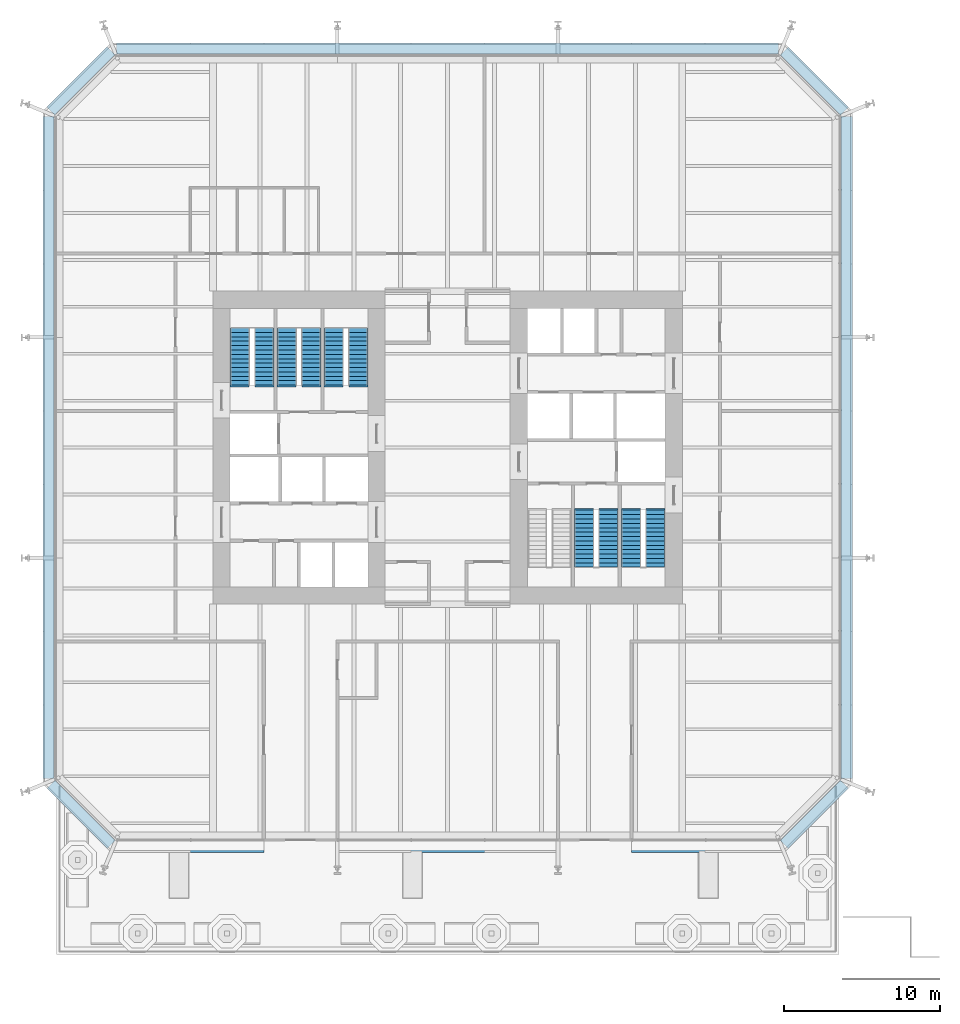
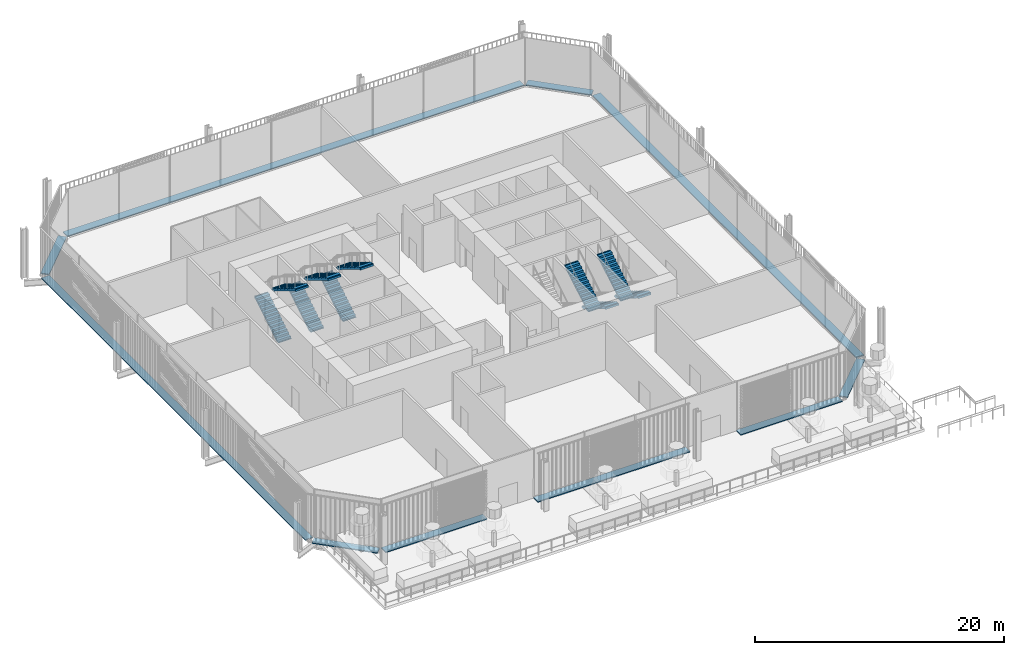
# One storey, part 18 of 21: 10 discrete accessories, 10 stair flights, 5 elements without a shape of their own.
"""IFC4 building model written with IfcOpenShell, lengths in metres."""

from ifc_helpers import new_model, si_unit, direction, frame, origin, origin_2d, place, context, subcontext, project, spatial, polyline, rectangle, outline, extrude, material, type_object, element, aggregate, save


model = new_model("IFC4")

# Units and contexts
model_context = context("Model", 3, precision=1e-05, world=origin(), true_north=direction((0.0, 1.0)))
body_context = subcontext(model_context, "Body", "Model", "MODEL_VIEW")
ifc_project = project(units=[si_unit("LENGTHUNIT", "METRE"), si_unit("AREAUNIT", "SQUARE_METRE"), si_unit("VOLUMEUNIT", "CUBIC_METRE"), si_unit("PLANEANGLEUNIT", "RADIAN"), si_unit("MASSUNIT", "GRAM", prefix="KILO")], contexts=[model_context])

# Site, building, storey
site_placement = place(None, origin())
site = spatial("IfcSite", under=ifc_project, at=site_placement, CompositionType="ELEMENT")
building_placement = place(site_placement, origin())
building = spatial("IfcBuilding", under=site, at=building_placement, Name="Millrace Tower", CompositionType="ELEMENT")
storey_placement = place(building_placement, frame((0.0, 0.0, 16.10009765625)))
storey = spatial("IfcBuildingStorey", under=building, at=storey_placement, Name="L04", CompositionType="ELEMENT", Elevation=16.10009765625)

# Stair, stair flights
ifc_material_1 = material(Name="Concrete C35", Category="concrete")
stair_type = type_object("IfcStairType", Name="Exit stair", PredefinedType="HALF_TURN_STAIR", material=ifc_material_1)
placement = place(storey_placement, origin())
stair_1 = element("IfcStair", 1, at=placement, inside=storey, type_object=stair_type, Name="Stair 1 W L04", PredefinedType="HALF_TURN_STAIR")
ifc_material_2 = material(Name="Concrete C35", Category="concrete")
stair_flight_type = type_object("IfcStairFlightType", Name="Exit stair flight", PredefinedType="STRAIGHT", material=ifc_material_2)
stair_flight_1_placement = place(storey_placement, frame((-13.2900390625, 4.0, 0.0), z_axis=(0.0, 0.0, 1.0), x_axis=(0.0, 1.0, 0.0)))
stair_flight_1 = element("IfcStairFlight", 2, at=stair_flight_1_placement, type_object=stair_flight_type, Name="ST12 flight 1", NumberOfRisers=14, NumberOfTreads=13, PredefinedType="STRAIGHT", RiserHeight=0.171428571, TreadLength=0.28, context=body_context, shape_type="SweptSolid", body=[
    extrude(outline(polyline([(-0.1201171875, -0.0400390625), (-0.1201171875, 0.0), (0.0, 0.0), (0.0, 0.17138671875), (0.280029296875, 0.17138671875), (0.280029296875, 0.3427734375), (0.56005859375, 0.3427734375), (0.56005859375, 0.514404296875), (0.840087890625, 0.514404296875), (0.840087890625, 0.685791015625), (1.1201171875, 0.685791015625), (1.1201171875, 0.857177734375), (1.39990234375, 0.857177734375), (1.39990234375, 1.028564453125), (1.679931640625, 1.028564453125), (1.679931640625, 1.199951171875), (1.9599609375, 1.199951171875), (1.9599609375, 1.371337890625), (2.239990234375, 1.371337890625), (2.239990234375, 1.54296875), (2.52001953125, 1.54296875), (2.52001953125, 1.71435546875), (2.800048828125, 1.71435546875), (2.800048828125, 1.8857421875), (3.080078125, 1.8857421875), (3.080078125, 2.05712890625), (3.360107421875, 2.05712890625), (3.360107421875, 2.228515625), (3.639892578125, 2.228515625), (3.639892578125, 2.24853515625), (3.760009765625, 2.24853515625), (3.760009765625, 2.052734375), (3.639892578125, 2.052734375), (0.287109375, 0.0), (0.287109375, -0.0400390625), (-0.1201171875, -0.0400390625)])), frame((0.0, 0.60986328125, 0.0), z_axis=(0.0, -1.0, 0.0), x_axis=(1.0, 0.0, 0.0)), (0.0, 0.0, 1.0), 1.219970703125),
])
stair_flight_2_placement = place(storey_placement, frame((-11.7099609375, 7.639892578125, 2.39990234375), z_axis=(0.0, 0.0, 1.0), x_axis=(0.0, -1.0, 0.0)))
stair_flight_2 = element("IfcStairFlight", 3, at=stair_flight_2_placement, type_object=stair_flight_type, Name="ST12 flight 2", NumberOfRisers=14, NumberOfTreads=13, PredefinedType="STRAIGHT", RiserHeight=0.171428571, TreadLength=0.28, context=body_context, shape_type="SweptSolid", body=[
    extrude(outline(polyline([(-0.1201171875, -0.0400390625), (-0.1201171875, 0.0), (0.0, 0.0), (0.0, 0.17138671875), (0.280029296875, 0.17138671875), (0.280029296875, 0.3427734375), (0.56005859375, 0.3427734375), (0.56005859375, 0.514404296875), (0.840087890625, 0.514404296875), (0.840087890625, 0.685791015625), (1.1201171875, 0.685791015625), (1.1201171875, 0.857177734375), (1.39990234375, 0.857177734375), (1.39990234375, 1.028564453125), (1.679931640625, 1.028564453125), (1.679931640625, 1.199951171875), (1.9599609375, 1.199951171875), (1.9599609375, 1.371337890625), (2.239990234375, 1.371337890625), (2.239990234375, 1.54296875), (2.52001953125, 1.54296875), (2.52001953125, 1.71435546875), (2.800048828125, 1.71435546875), (2.800048828125, 1.8857421875), (3.080078125, 1.8857421875), (3.080078125, 2.05712890625), (3.360107421875, 2.05712890625), (3.360107421875, 2.228515625), (3.639892578125, 2.228515625), (3.639892578125, 2.24853515625), (3.760009765625, 2.24853515625), (3.760009765625, 2.052734375), (3.639892578125, 2.052734375), (0.287109375, 0.0), (0.287109375, -0.0400390625), (-0.1201171875, -0.0400390625)])), frame((0.0, 0.60986328125, 0.0), z_axis=(0.0, -1.0, 0.0), x_axis=(1.0, 0.0, 0.0)), (0.0, 0.0, 1.0), 1.219970703125),
])
aggregate(stair_1, [stair_flight_1, stair_flight_2])

stair_2 = element("IfcStair", 4, at=placement, inside=storey, type_object=stair_type, Name="Stair 2 W L04", PredefinedType="HALF_TURN_STAIR")
stair_flight_3_placement = place(storey_placement, frame((-10.2900390625, 4.0, 0.0), z_axis=(0.0, 0.0, 1.0), x_axis=(0.0, 1.0, 0.0)))
stair_flight_3 = element("IfcStairFlight", 5, at=stair_flight_3_placement, type_object=stair_flight_type, Name="ST12 flight 1", NumberOfRisers=14, NumberOfTreads=13, PredefinedType="STRAIGHT", RiserHeight=0.171428571, TreadLength=0.28, context=body_context, shape_type="SweptSolid", body=[
    extrude(outline(polyline([(-0.1201171875, -0.0400390625), (-0.1201171875, 0.0), (0.0, 0.0), (0.0, 0.17138671875), (0.280029296875, 0.17138671875), (0.280029296875, 0.3427734375), (0.56005859375, 0.3427734375), (0.56005859375, 0.514404296875), (0.840087890625, 0.514404296875), (0.840087890625, 0.685791015625), (1.1201171875, 0.685791015625), (1.1201171875, 0.857177734375), (1.39990234375, 0.857177734375), (1.39990234375, 1.028564453125), (1.679931640625, 1.028564453125), (1.679931640625, 1.199951171875), (1.9599609375, 1.199951171875), (1.9599609375, 1.371337890625), (2.239990234375, 1.371337890625), (2.239990234375, 1.54296875), (2.52001953125, 1.54296875), (2.52001953125, 1.71435546875), (2.800048828125, 1.71435546875), (2.800048828125, 1.8857421875), (3.080078125, 1.8857421875), (3.080078125, 2.05712890625), (3.360107421875, 2.05712890625), (3.360107421875, 2.228515625), (3.639892578125, 2.228515625), (3.639892578125, 2.24853515625), (3.760009765625, 2.24853515625), (3.760009765625, 2.052734375), (3.639892578125, 2.052734375), (0.287109375, 0.0), (0.287109375, -0.0400390625), (-0.1201171875, -0.0400390625)])), frame((0.0, 0.60986328125, 0.0), z_axis=(0.0, -1.0, 0.0), x_axis=(1.0, 0.0, 0.0)), (0.0, 0.0, 1.0), 1.219970703125),
])
stair_flight_4_placement = place(storey_placement, frame((-8.7099609375, 7.639892578125, 2.39990234375), z_axis=(0.0, 0.0, 1.0), x_axis=(0.0, -1.0, 0.0)))
stair_flight_4 = element("IfcStairFlight", 6, at=stair_flight_4_placement, type_object=stair_flight_type, Name="ST12 flight 2", NumberOfRisers=14, NumberOfTreads=13, PredefinedType="STRAIGHT", RiserHeight=0.171428571, TreadLength=0.28, context=body_context, shape_type="SweptSolid", body=[
    extrude(outline(polyline([(-0.1201171875, -0.0400390625), (-0.1201171875, 0.0), (0.0, 0.0), (0.0, 0.17138671875), (0.280029296875, 0.17138671875), (0.280029296875, 0.3427734375), (0.56005859375, 0.3427734375), (0.56005859375, 0.514404296875), (0.840087890625, 0.514404296875), (0.840087890625, 0.685791015625), (1.1201171875, 0.685791015625), (1.1201171875, 0.857177734375), (1.39990234375, 0.857177734375), (1.39990234375, 1.028564453125), (1.679931640625, 1.028564453125), (1.679931640625, 1.199951171875), (1.9599609375, 1.199951171875), (1.9599609375, 1.371337890625), (2.239990234375, 1.371337890625), (2.239990234375, 1.54296875), (2.52001953125, 1.54296875), (2.52001953125, 1.71435546875), (2.800048828125, 1.71435546875), (2.800048828125, 1.8857421875), (3.080078125, 1.8857421875), (3.080078125, 2.05712890625), (3.360107421875, 2.05712890625), (3.360107421875, 2.228515625), (3.639892578125, 2.228515625), (3.639892578125, 2.24853515625), (3.760009765625, 2.24853515625), (3.760009765625, 2.052734375), (3.639892578125, 2.052734375), (0.287109375, 0.0), (0.287109375, -0.0400390625), (-0.1201171875, -0.0400390625)])), frame((0.0, 0.60986328125, 0.0), z_axis=(0.0, -1.0, 0.0), x_axis=(1.0, 0.0, 0.0)), (0.0, 0.0, 1.0), 1.219970703125),
])
aggregate(stair_2, [stair_flight_3, stair_flight_4])

stair_3 = element("IfcStair", 7, at=placement, inside=storey, type_object=stair_type, Name="Stair 3 W L04", PredefinedType="HALF_TURN_STAIR")
stair_flight_5_placement = place(storey_placement, frame((-7.2900390625, 4.0, 0.0), z_axis=(0.0, 0.0, 1.0), x_axis=(0.0, 1.0, 0.0)))
stair_flight_5 = element("IfcStairFlight", 8, at=stair_flight_5_placement, type_object=stair_flight_type, Name="ST12 flight 1", NumberOfRisers=14, NumberOfTreads=13, PredefinedType="STRAIGHT", RiserHeight=0.171428571, TreadLength=0.28, context=body_context, shape_type="SweptSolid", body=[
    extrude(outline(polyline([(-0.1201171875, -0.0400390625), (-0.1201171875, 0.0), (0.0, 0.0), (0.0, 0.17138671875), (0.280029296875, 0.17138671875), (0.280029296875, 0.3427734375), (0.56005859375, 0.3427734375), (0.56005859375, 0.514404296875), (0.840087890625, 0.514404296875), (0.840087890625, 0.685791015625), (1.1201171875, 0.685791015625), (1.1201171875, 0.857177734375), (1.39990234375, 0.857177734375), (1.39990234375, 1.028564453125), (1.679931640625, 1.028564453125), (1.679931640625, 1.199951171875), (1.9599609375, 1.199951171875), (1.9599609375, 1.371337890625), (2.239990234375, 1.371337890625), (2.239990234375, 1.54296875), (2.52001953125, 1.54296875), (2.52001953125, 1.71435546875), (2.800048828125, 1.71435546875), (2.800048828125, 1.8857421875), (3.080078125, 1.8857421875), (3.080078125, 2.05712890625), (3.360107421875, 2.05712890625), (3.360107421875, 2.228515625), (3.639892578125, 2.228515625), (3.639892578125, 2.24853515625), (3.760009765625, 2.24853515625), (3.760009765625, 2.052734375), (3.639892578125, 2.052734375), (0.287109375, 0.0), (0.287109375, -0.0400390625), (-0.1201171875, -0.0400390625)])), frame((0.0, 0.60986328125, 0.0), z_axis=(0.0, -1.0, 0.0), x_axis=(1.0, 0.0, 0.0)), (0.0, 0.0, 1.0), 1.219970703125),
])
stair_flight_6_placement = place(storey_placement, frame((-5.7099609375, 7.639892578125, 2.39990234375), z_axis=(0.0, 0.0, 1.0), x_axis=(0.0, -1.0, 0.0)))
stair_flight_6 = element("IfcStairFlight", 9, at=stair_flight_6_placement, type_object=stair_flight_type, Name="ST12 flight 2", NumberOfRisers=14, NumberOfTreads=13, PredefinedType="STRAIGHT", RiserHeight=0.171428571, TreadLength=0.28, context=body_context, shape_type="SweptSolid", body=[
    extrude(outline(polyline([(-0.1201171875, -0.0400390625), (-0.1201171875, 0.0), (0.0, 0.0), (0.0, 0.17138671875), (0.280029296875, 0.17138671875), (0.280029296875, 0.3427734375), (0.56005859375, 0.3427734375), (0.56005859375, 0.514404296875), (0.840087890625, 0.514404296875), (0.840087890625, 0.685791015625), (1.1201171875, 0.685791015625), (1.1201171875, 0.857177734375), (1.39990234375, 0.857177734375), (1.39990234375, 1.028564453125), (1.679931640625, 1.028564453125), (1.679931640625, 1.199951171875), (1.9599609375, 1.199951171875), (1.9599609375, 1.371337890625), (2.239990234375, 1.371337890625), (2.239990234375, 1.54296875), (2.52001953125, 1.54296875), (2.52001953125, 1.71435546875), (2.800048828125, 1.71435546875), (2.800048828125, 1.8857421875), (3.080078125, 1.8857421875), (3.080078125, 2.05712890625), (3.360107421875, 2.05712890625), (3.360107421875, 2.228515625), (3.639892578125, 2.228515625), (3.639892578125, 2.24853515625), (3.760009765625, 2.24853515625), (3.760009765625, 2.052734375), (3.639892578125, 2.052734375), (0.287109375, 0.0), (0.287109375, -0.0400390625), (-0.1201171875, -0.0400390625)])), frame((0.0, 0.60986328125, 0.0), z_axis=(0.0, -1.0, 0.0), x_axis=(1.0, 0.0, 0.0)), (0.0, 0.0, 1.0), 1.219970703125),
])
aggregate(stair_3, [stair_flight_5, stair_flight_6])

stair_4 = element("IfcStair", 10, at=placement, inside=storey, type_object=stair_type, Name="Stair 1 E L04", PredefinedType="HALF_TURN_STAIR")
stair_flight_7_placement = place(storey_placement, frame((13.2900390625, -4.0, 0.0), z_axis=(0.0, 0.0, 1.0), x_axis=(0.0, -1.0, 0.0)))
stair_flight_7 = element("IfcStairFlight", 11, at=stair_flight_7_placement, type_object=stair_flight_type, Name="ST12 flight 1", NumberOfRisers=14, NumberOfTreads=13, PredefinedType="STRAIGHT", RiserHeight=0.171428571, TreadLength=0.28, context=body_context, shape_type="SweptSolid", body=[
    extrude(outline(polyline([(-0.1201171875, -0.0400390625), (-0.1201171875, 0.0), (0.0, 0.0), (0.0, 0.17138671875), (0.280029296875, 0.17138671875), (0.280029296875, 0.3427734375), (0.56005859375, 0.3427734375), (0.56005859375, 0.514404296875), (0.840087890625, 0.514404296875), (0.840087890625, 0.685791015625), (1.1201171875, 0.685791015625), (1.1201171875, 0.857177734375), (1.39990234375, 0.857177734375), (1.39990234375, 1.028564453125), (1.679931640625, 1.028564453125), (1.679931640625, 1.199951171875), (1.9599609375, 1.199951171875), (1.9599609375, 1.371337890625), (2.239990234375, 1.371337890625), (2.239990234375, 1.54296875), (2.52001953125, 1.54296875), (2.52001953125, 1.71435546875), (2.800048828125, 1.71435546875), (2.800048828125, 1.8857421875), (3.080078125, 1.8857421875), (3.080078125, 2.05712890625), (3.360107421875, 2.05712890625), (3.360107421875, 2.228515625), (3.639892578125, 2.228515625), (3.639892578125, 2.24853515625), (3.760009765625, 2.24853515625), (3.760009765625, 2.052734375), (3.639892578125, 2.052734375), (0.287109375, 0.0), (0.287109375, -0.0400390625), (-0.1201171875, -0.0400390625)])), frame((0.0, 0.60986328125, 0.0), z_axis=(0.0, -1.0, 0.0), x_axis=(1.0, 0.0, 0.0)), (0.0, 0.0, 1.0), 1.219970703125),
])
stair_flight_8_placement = place(storey_placement, frame((11.7099609375, -7.639892578125, 2.39990234375), z_axis=(0.0, 0.0, 1.0), x_axis=(0.0, 1.0, 0.0)))
stair_flight_8 = element("IfcStairFlight", 12, at=stair_flight_8_placement, type_object=stair_flight_type, Name="ST12 flight 2", NumberOfRisers=14, NumberOfTreads=13, PredefinedType="STRAIGHT", RiserHeight=0.171428571, TreadLength=0.28, context=body_context, shape_type="SweptSolid", body=[
    extrude(outline(polyline([(-0.1201171875, -0.0400390625), (-0.1201171875, 0.0), (0.0, 0.0), (0.0, 0.17138671875), (0.280029296875, 0.17138671875), (0.280029296875, 0.3427734375), (0.56005859375, 0.3427734375), (0.56005859375, 0.514404296875), (0.840087890625, 0.514404296875), (0.840087890625, 0.685791015625), (1.1201171875, 0.685791015625), (1.1201171875, 0.857177734375), (1.39990234375, 0.857177734375), (1.39990234375, 1.028564453125), (1.679931640625, 1.028564453125), (1.679931640625, 1.199951171875), (1.9599609375, 1.199951171875), (1.9599609375, 1.371337890625), (2.239990234375, 1.371337890625), (2.239990234375, 1.54296875), (2.52001953125, 1.54296875), (2.52001953125, 1.71435546875), (2.800048828125, 1.71435546875), (2.800048828125, 1.8857421875), (3.080078125, 1.8857421875), (3.080078125, 2.05712890625), (3.360107421875, 2.05712890625), (3.360107421875, 2.228515625), (3.639892578125, 2.228515625), (3.639892578125, 2.24853515625), (3.760009765625, 2.24853515625), (3.760009765625, 2.052734375), (3.639892578125, 2.052734375), (0.287109375, 0.0), (0.287109375, -0.0400390625), (-0.1201171875, -0.0400390625)])), frame((0.0, 0.60986328125, 0.0), z_axis=(0.0, -1.0, 0.0), x_axis=(1.0, 0.0, 0.0)), (0.0, 0.0, 1.0), 1.219970703125),
])
aggregate(stair_4, [stair_flight_7, stair_flight_8])

stair_5 = element("IfcStair", 13, at=placement, inside=storey, type_object=stair_type, Name="Stair 2 E L04", PredefinedType="HALF_TURN_STAIR")
stair_flight_9_placement = place(storey_placement, frame((10.2900390625, -4.0, 0.0), z_axis=(0.0, 0.0, 1.0), x_axis=(0.0, -1.0, 0.0)))
stair_flight_9 = element("IfcStairFlight", 14, at=stair_flight_9_placement, type_object=stair_flight_type, Name="ST12 flight 1", NumberOfRisers=14, NumberOfTreads=13, PredefinedType="STRAIGHT", RiserHeight=0.171428571, TreadLength=0.28, context=body_context, shape_type="SweptSolid", body=[
    extrude(outline(polyline([(-0.1201171875, -0.0400390625), (-0.1201171875, 0.0), (0.0, 0.0), (0.0, 0.17138671875), (0.280029296875, 0.17138671875), (0.280029296875, 0.3427734375), (0.56005859375, 0.3427734375), (0.56005859375, 0.514404296875), (0.840087890625, 0.514404296875), (0.840087890625, 0.685791015625), (1.1201171875, 0.685791015625), (1.1201171875, 0.857177734375), (1.39990234375, 0.857177734375), (1.39990234375, 1.028564453125), (1.679931640625, 1.028564453125), (1.679931640625, 1.199951171875), (1.9599609375, 1.199951171875), (1.9599609375, 1.371337890625), (2.239990234375, 1.371337890625), (2.239990234375, 1.54296875), (2.52001953125, 1.54296875), (2.52001953125, 1.71435546875), (2.800048828125, 1.71435546875), (2.800048828125, 1.8857421875), (3.080078125, 1.8857421875), (3.080078125, 2.05712890625), (3.360107421875, 2.05712890625), (3.360107421875, 2.228515625), (3.639892578125, 2.228515625), (3.639892578125, 2.24853515625), (3.760009765625, 2.24853515625), (3.760009765625, 2.052734375), (3.639892578125, 2.052734375), (0.287109375, 0.0), (0.287109375, -0.0400390625), (-0.1201171875, -0.0400390625)])), frame((0.0, 0.60986328125, 0.0), z_axis=(0.0, -1.0, 0.0), x_axis=(1.0, 0.0, 0.0)), (0.0, 0.0, 1.0), 1.219970703125),
])
stair_flight_10_placement = place(storey_placement, frame((8.7099609375, -7.639892578125, 2.39990234375), z_axis=(0.0, 0.0, 1.0), x_axis=(0.0, 1.0, 0.0)))
stair_flight_10 = element("IfcStairFlight", 15, at=stair_flight_10_placement, type_object=stair_flight_type, Name="ST12 flight 2", NumberOfRisers=14, NumberOfTreads=13, PredefinedType="STRAIGHT", RiserHeight=0.171428571, TreadLength=0.28, context=body_context, shape_type="SweptSolid", body=[
    extrude(outline(polyline([(-0.1201171875, -0.0400390625), (-0.1201171875, 0.0), (0.0, 0.0), (0.0, 0.17138671875), (0.280029296875, 0.17138671875), (0.280029296875, 0.3427734375), (0.56005859375, 0.3427734375), (0.56005859375, 0.514404296875), (0.840087890625, 0.514404296875), (0.840087890625, 0.685791015625), (1.1201171875, 0.685791015625), (1.1201171875, 0.857177734375), (1.39990234375, 0.857177734375), (1.39990234375, 1.028564453125), (1.679931640625, 1.028564453125), (1.679931640625, 1.199951171875), (1.9599609375, 1.199951171875), (1.9599609375, 1.371337890625), (2.239990234375, 1.371337890625), (2.239990234375, 1.54296875), (2.52001953125, 1.54296875), (2.52001953125, 1.71435546875), (2.800048828125, 1.71435546875), (2.800048828125, 1.8857421875), (3.080078125, 1.8857421875), (3.080078125, 2.05712890625), (3.360107421875, 2.05712890625), (3.360107421875, 2.228515625), (3.639892578125, 2.228515625), (3.639892578125, 2.24853515625), (3.760009765625, 2.24853515625), (3.760009765625, 2.052734375), (3.639892578125, 2.052734375), (0.287109375, 0.0), (0.287109375, -0.0400390625), (-0.1201171875, -0.0400390625)])), frame((0.0, 0.60986328125, 0.0), z_axis=(0.0, -1.0, 0.0), x_axis=(1.0, 0.0, 0.0)), (0.0, 0.0, 1.0), 1.219970703125),
])
aggregate(stair_5, [stair_flight_9, stair_flight_10])

# Discrete accessories
ifc_material_3 = material(Name="Stainless steel ASTM A240 type 316", Category="steel")
discrete_accessory_type = type_object("IfcDiscreteAccessoryType", Name="Thermally broken screen support rail", PredefinedType="BRACKET", material=ifc_material_3)
discrete_accessory_1_placement = place(storey_placement, frame((-23.435546875, -23.435546875, -0.000244140625), z_axis=(0.0, 0.0, 1.0), x_axis=(0.707106781187, -0.707106781187, 0.0)))
element("IfcDiscreteAccessory", 16, at=discrete_accessory_1_placement, inside=storey, type_object=discrete_accessory_type, Name="Thermally broken screen support rail A-F01 L04 1", PredefinedType="BRACKET", context=body_context, shape_type="SweptSolid", body=[
    extrude(rectangle(XDim=5.44482421875, YDim=0.719970703125, at=origin_2d()), origin(), (0.0, 0.0, 1.0), 0.10009765625),
])
discrete_accessory_2_placement = place(storey_placement, frame((-16.449951171875, -25.510009765625, -0.000244140625), z_axis=(0.0, 0.0, 1.0), x_axis=(1.0, 0.0, 0.0)))
element("IfcDiscreteAccessory", 17, at=discrete_accessory_2_placement, inside=storey, type_object=discrete_accessory_type, Name="Thermally broken screen support rail A-F02 L04 1", PredefinedType="BRACKET", context=body_context, shape_type="SweptSolid", body=[
    extrude(rectangle(XDim=9.39990234375, YDim=0.719970703125, at=origin_2d()), origin(), (0.0, 0.0, 1.0), 0.10009765625),
])
discrete_accessory_3_placement = place(storey_placement, frame((0.0, -25.510009765625, -0.000244140625), z_axis=(0.0, 0.0, 1.0), x_axis=(1.0, 0.0, 0.0)))
element("IfcDiscreteAccessory", 18, at=discrete_accessory_3_placement, inside=storey, type_object=discrete_accessory_type, Name="Thermally broken screen support rail A-F02 L04 2", PredefinedType="BRACKET", context=body_context, shape_type="SweptSolid", body=[
    extrude(rectangle(XDim=14.10009765625, YDim=0.719970703125, at=origin_2d()), origin(), (0.0, 0.0, 1.0), 0.10009765625),
])
discrete_accessory_4_placement = place(storey_placement, frame((16.449951171875, -25.510009765625, -0.000244140625), z_axis=(0.0, 0.0, 1.0), x_axis=(1.0, 0.0, 0.0)))
element("IfcDiscreteAccessory", 19, at=discrete_accessory_4_placement, inside=storey, type_object=discrete_accessory_type, Name="Thermally broken screen support rail A-F02 L04 3", PredefinedType="BRACKET", context=body_context, shape_type="SweptSolid", body=[
    extrude(rectangle(XDim=9.39990234375, YDim=0.719970703125, at=origin_2d()), origin(), (0.0, 0.0, 1.0), 0.10009765625),
])
discrete_accessory_5_placement = place(storey_placement, frame((23.435546875, -23.435546875, -0.000244140625), z_axis=(0.0, 0.0, 1.0), x_axis=(0.707106781187, 0.707106781187, 0.0)))
element("IfcDiscreteAccessory", 20, at=discrete_accessory_5_placement, inside=storey, type_object=discrete_accessory_type, Name="Thermally broken screen support rail A-F03 L04 1", PredefinedType="BRACKET", context=body_context, shape_type="SweptSolid", body=[
    extrude(rectangle(XDim=5.44482421875, YDim=0.719970703125, at=origin_2d()), origin(), (0.0, 0.0, 1.0), 0.10009765625),
])
discrete_accessory_6_placement = place(storey_placement, frame((25.510009765625, 0.0, -0.000244140625), z_axis=(0.0, 0.0, 1.0), x_axis=(0.0, 1.0, 0.0)))
element("IfcDiscreteAccessory", 21, at=discrete_accessory_6_placement, inside=storey, type_object=discrete_accessory_type, Name="Thermally broken screen support rail A-F04 L04 1", PredefinedType="BRACKET", context=body_context, shape_type="SweptSolid", body=[
    extrude(rectangle(XDim=42.300048828125, YDim=0.719970703125, at=origin_2d()), origin(), (0.0, 0.0, 1.0), 0.10009765625),
])
discrete_accessory_7_placement = place(storey_placement, frame((23.435546875, 23.435546875, -0.000244140625), z_axis=(0.0, 0.0, 1.0), x_axis=(-0.707106781187, 0.707106781187, 0.0)))
element("IfcDiscreteAccessory", 22, at=discrete_accessory_7_placement, inside=storey, type_object=discrete_accessory_type, Name="Thermally broken screen support rail A-F05 L04 1", PredefinedType="BRACKET", context=body_context, shape_type="SweptSolid", body=[
    extrude(rectangle(XDim=5.44482421875, YDim=0.719970703125, at=origin_2d()), origin(), (0.0, 0.0, 1.0), 0.10009765625),
])
discrete_accessory_8_placement = place(storey_placement, frame((0.0, 25.510009765625, -0.000244140625), z_axis=(0.0, 0.0, 1.0), x_axis=(-1.0, 0.0, 0.0)))
element("IfcDiscreteAccessory", 23, at=discrete_accessory_8_placement, inside=storey, type_object=discrete_accessory_type, Name="Thermally broken screen support rail A-F06 L04 1", PredefinedType="BRACKET", context=body_context, shape_type="SweptSolid", body=[
    extrude(rectangle(XDim=42.300048828125, YDim=0.719970703125, at=origin_2d()), origin(), (0.0, 0.0, 1.0), 0.10009765625),
])
discrete_accessory_9_placement = place(storey_placement, frame((-23.435546875, 23.435546875, -0.000244140625), z_axis=(0.0, 0.0, 1.0), x_axis=(-0.707106781187, -0.707106781187, 0.0)))
element("IfcDiscreteAccessory", 24, at=discrete_accessory_9_placement, inside=storey, type_object=discrete_accessory_type, Name="Thermally broken screen support rail A-F07 L04 1", PredefinedType="BRACKET", context=body_context, shape_type="SweptSolid", body=[
    extrude(rectangle(XDim=5.44482421875, YDim=0.719970703125, at=origin_2d()), origin(), (0.0, 0.0, 1.0), 0.10009765625),
])
discrete_accessory_10_placement = place(storey_placement, frame((-25.510009765625, 0.0, -0.000244140625), z_axis=(0.0, 0.0, 1.0), x_axis=(0.0, -1.0, 0.0)))
element("IfcDiscreteAccessory", 25, at=discrete_accessory_10_placement, inside=storey, type_object=discrete_accessory_type, Name="Thermally broken screen support rail A-F08 L04 1", PredefinedType="BRACKET", context=body_context, shape_type="SweptSolid", body=[
    extrude(rectangle(XDim=42.300048828125, YDim=0.719970703125, at=origin_2d()), origin(), (0.0, 0.0, 1.0), 0.10009765625),
])

save(model, "model.ifc")
